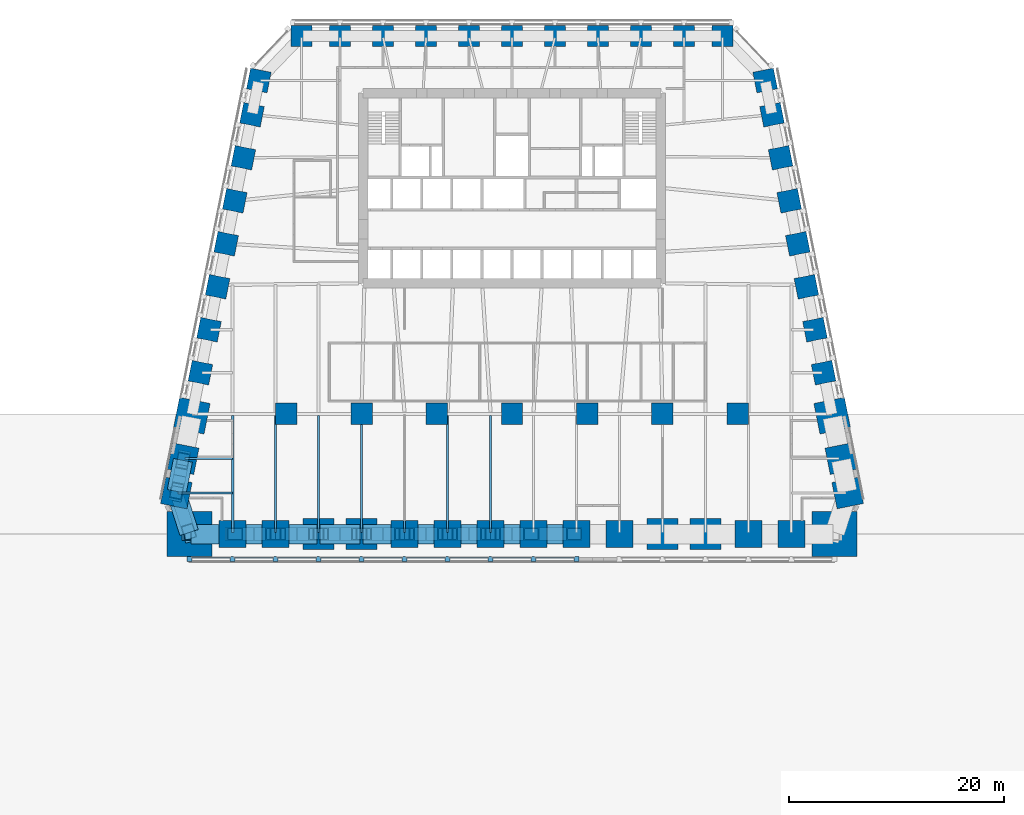
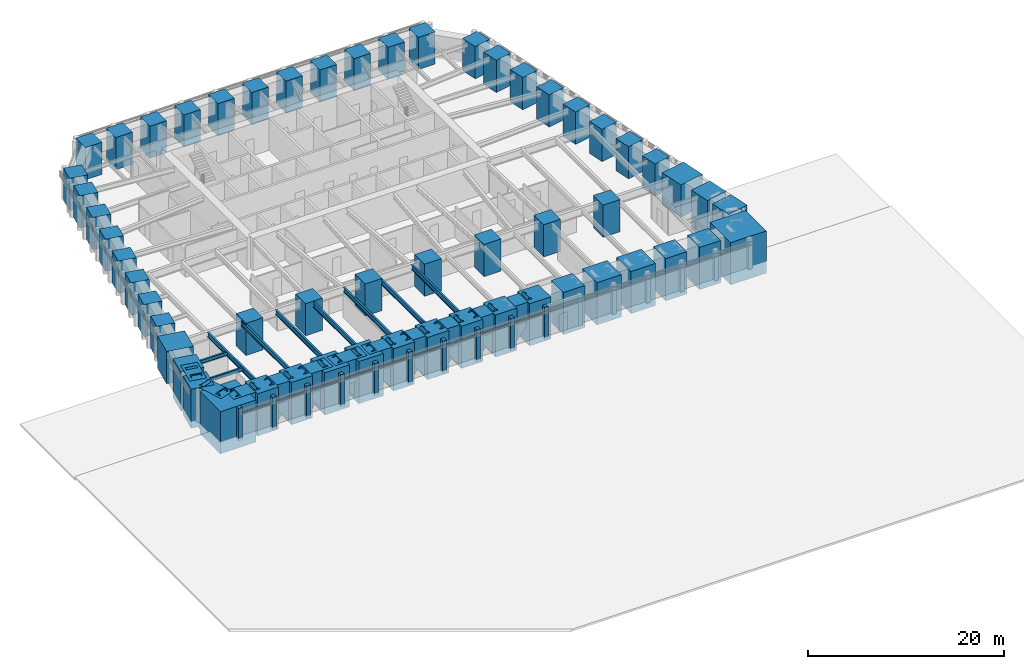
# One storey, part 1 of 18: 56 columns, 40 members, 20 beams, 1 element without a shape of its own.
"""IFC4 building model written with IfcOpenShell, lengths in metres."""

from ifc_helpers import new_model, si_unit, direction, frame, origin, origin_2d, place, context, subcontext, project, spatial, rectangle, hollow_rectangle, i_section, extrude, material, material_profile, profile_set, type_object, element, aggregate, save


model = new_model("IFC4")

# Units and contexts
model_context = context("Model", 3, precision=1e-05, world=origin(), true_north=direction((0.0, 1.0)))
body_context = subcontext(model_context, "Body", "Model", "MODEL_VIEW")
ifc_project = project(units=[si_unit("LENGTHUNIT", "METRE"), si_unit("AREAUNIT", "SQUARE_METRE"), si_unit("VOLUMEUNIT", "CUBIC_METRE"), si_unit("PLANEANGLEUNIT", "RADIAN"), si_unit("MASSUNIT", "GRAM", prefix="KILO")], contexts=[model_context])

# Site, building, storey
site_placement = place(None, origin())
site = spatial("IfcSite", under=ifc_project, at=site_placement, CompositionType="ELEMENT")
building_placement = place(site_placement, origin())
building = spatial("IfcBuilding", under=site, at=building_placement, Name="Isbrekke Arena Tower", CompositionType="ELEMENT")
storey_placement = place(building_placement, frame((0.0, 0.0, 28.0)))
storey = spatial("IfcBuildingStorey", under=building, at=storey_placement, Name="L04", CompositionType="ELEMENT", Elevation=28.0)

# Columns
ifc_material_1 = material(Name="Concrete B90 (C90/105)", Category="concrete")
ifc_material_profile_1 = material_profile(ifc_material_1, rectangle(XDim=2.0, YDim=2.0, at=origin_2d()), Name="RC 2000x2000")
ifc_profile_set_1 = profile_set([ifc_material_profile_1], Name="Concrete B90 (C90/105)")
column_type_1 = type_object("IfcColumnType", Name="C11 RC 2000 x 2000", PredefinedType="COLUMN", material=ifc_profile_set_1)
for number, where, z_axis, x_axis, name in (
    (1, (-21.0, -6.0, 0.0), (0.0, 0.0, 1.0), (1.0, 0.0, 0.0), "C11 I01"),
    (2, (-14.0, -6.0, 0.0), (0.0, 0.0, 1.0), (1.0, 0.0, 0.0), "C11 I02"),
    (3, (-7.0, -6.0, 0.0), (0.0, 0.0, 1.0), (1.0, 0.0, 0.0), "C11 I03"),
    (4, (0.0, -6.0, 0.0), (0.0, 0.0, 1.0), (1.0, 0.0, 0.0), "C11 I04"),
    (5, (7.0, -6.0, 0.0), (0.0, 0.0, 1.0), (1.0, 0.0, 0.0), "C11 I05"),
    (6, (14.0, -6.0, 0.0), (0.0, 0.0, 1.0), (1.0, 0.0, 0.0), "C11 I06"),
    (7, (21.0, -6.0, 0.0), (0.0, 0.0, 1.0), (1.0, 0.0, 0.0), "C11 I07"),
):
    element("IfcColumn", number, at=place(storey_placement, frame(where, z_axis=z_axis, x_axis=x_axis)), inside=storey, type_object=column_type_1, Name=name, PredefinedType="COLUMN", context=body_context, shape_type="SweptSolid", body=[
        extrude(rectangle(XDim=2.0, YDim=2.0, at=origin_2d()), origin(), (0.0, 0.0, 1.0), 4.0),
    ])
ifc_material_2 = material(Name="Concrete B90 (C90/105)", Category="concrete")
ifc_material_profile_2 = material_profile(ifc_material_2, rectangle(XDim=1.949951171875, YDim=1.949951171875, at=origin_2d()), Name="RC 1950x1950")
ifc_profile_set_2 = profile_set([ifc_material_profile_2], Name="Concrete B90 (C90/105)")
column_type_2 = type_object("IfcColumnType", Name="C2 RC 1950 x 1950", PredefinedType="COLUMN", material=ifc_profile_set_2)
for number, where, z_axis, x_axis, name in (
    (8, (28.990966796875, -2.161865234375, 0.0), (0.0, 0.0, 1.0), (-0.196116135138, 0.980580675691, 0.0), "C2 E04"),
    (9, (28.19091796875, 1.838134765625, 0.0), (0.0, 0.0, 1.0), (-0.196116135138, 0.980580675691, 0.0), "C2 E05"),
    (10, (27.39111328125, 5.838134765625, 0.0), (0.0, 0.0, 1.0), (-0.196116135138, 0.980580675691, 0.0), "C2 E06"),
    (11, (26.591064453125, 9.838134765625, 0.0), (0.0, 0.0, 1.0), (-0.196116135138, 0.980580675691, 0.0), "C2 E07"),
    (12, (25.791015625, 13.838134765625, 0.0), (0.0, 0.0, 1.0), (-0.196116135138, 0.980580675691, 0.0), "C2 E08"),
    (13, (24.990966796875, 17.838134765625, 0.0), (0.0, 0.0, 1.0), (-0.196116135138, 0.980580675691, 0.0), "C2 E09"),
    (14, (24.19091796875, 21.838134765625, 0.0), (0.0, 0.0, 1.0), (-0.196116135138, 0.980580675691, 0.0), "C2 E10"),
    (15, (23.552734375, 25.029296875, 0.0), (0.0, 0.0, 1.0), (-0.196116135138, 0.980580675691, 0.0), "C2 E11"),
    (16, (19.574951171875, 29.175048828125, 0.0), (0.0, 0.0, 1.0), (-1.0, 0.0, 0.0), "C2 N01"),
    (17, (16.0, 29.175048828125, 0.0), (0.0, 0.0, 1.0), (-1.0, 0.0, 0.0), "C2 N02"),
    (18, (12.0, 29.175048828125, 0.0), (0.0, 0.0, 1.0), (-1.0, 0.0, 0.0), "C2 N03"),
    (19, (8.0, 29.175048828125, 0.0), (0.0, 0.0, 1.0), (-1.0, 0.0, 0.0), "C2 N04"),
    (20, (4.0, 29.175048828125, 0.0), (0.0, 0.0, 1.0), (-1.0, 0.0, 0.0), "C2 N05"),
    (21, (0.0, 29.175048828125, 0.0), (0.0, 0.0, 1.0), (-1.0, 0.0, 0.0), "C2 N06"),
    (22, (-4.0, 29.175048828125, 0.0), (0.0, 0.0, 1.0), (-1.0, 0.0, 0.0), "C2 N07"),
    (23, (-8.0, 29.175048828125, 0.0), (0.0, 0.0, 1.0), (-1.0, 0.0, 0.0), "C2 N08"),
    (24, (-12.0, 29.175048828125, 0.0), (0.0, 0.0, 1.0), (-1.0, 0.0, 0.0), "C2 N09"),
    (25, (-16.0, 29.175048828125, 0.0), (0.0, 0.0, 1.0), (-1.0, 0.0, 0.0), "C2 N10"),
    (26, (-19.574951171875, 29.175048828125, 0.0), (0.0, 0.0, 1.0), (-1.0, 0.0, 0.0), "C2 N11"),
    (27, (-23.552734375, 25.029296875, 0.0), (0.0, 0.0, 1.0), (-0.196116135138, -0.980580675691, 0.0), "C2 W01"),
    (28, (-24.19091796875, 21.838134765625, 0.0), (0.0, 0.0, 1.0), (-0.196116135138, -0.980580675691, 0.0), "C2 W02"),
    (29, (-24.990966796875, 17.838134765625, 0.0), (0.0, 0.0, 1.0), (-0.196116135138, -0.980580675691, 0.0), "C2 W03"),
    (30, (-25.791015625, 13.838134765625, 0.0), (0.0, 0.0, 1.0), (-0.196116135138, -0.980580675691, 0.0), "C2 W04"),
    (31, (-26.591064453125, 9.838134765625, 0.0), (0.0, 0.0, 1.0), (-0.196116135138, -0.980580675691, 0.0), "C2 W05"),
    (32, (-27.39111328125, 5.838134765625, 0.0), (0.0, 0.0, 1.0), (-0.196116135138, -0.980580675691, 0.0), "C2 W06"),
    (33, (-28.19091796875, 1.838134765625, 0.0), (0.0, 0.0, 1.0), (-0.196116135138, -0.980580675691, 0.0), "C2 W07"),
    (34, (-28.990966796875, -2.161865234375, 0.0), (0.0, 0.0, 1.0), (-0.196116135138, -0.980580675691, 0.0), "C2 W08"),
):
    element("IfcColumn", number, at=place(storey_placement, frame(where, z_axis=z_axis, x_axis=x_axis)), inside=storey, type_object=column_type_2, Name=name, PredefinedType="COLUMN", context=body_context, shape_type="SweptSolid", body=[
        extrude(rectangle(XDim=1.949951171875, YDim=1.949951171875, at=origin_2d()), origin(), (0.0, 0.0, 1.0), 4.0),
    ])
ifc_material_3 = material(Name="Concrete B90 (C90/105)", Category="concrete")
ifc_material_profile_3 = material_profile(ifc_material_3, rectangle(XDim=2.5, YDim=2.5, at=origin_2d()), Name="RC 2500x2500")
ifc_profile_set_3 = profile_set([ifc_material_profile_3], Name="Concrete B90 (C90/105)")
column_type_3 = type_object("IfcColumnType", Name="C20 RC 2500 x 2500", PredefinedType="COLUMN", material=ifc_profile_set_3)
for number, where, z_axis, x_axis, name in (
    (35, (-26.0, -17.175048828125, -1.25), (0.0, 0.0, 1.0), (1.0, 0.0, 0.0), "C20 S02"),
    (36, (-22.0, -17.175048828125, -1.25), (0.0, 0.0, 1.0), (1.0, 0.0, 0.0), "C20 S03"),
    (37, (-10.0, -17.175048828125, -1.25), (0.0, 0.0, 1.0), (1.0, 0.0, 0.0), "C20 S06"),
    (38, (-6.0, -17.175048828125, -1.25), (0.0, 0.0, 1.0), (1.0, 0.0, 0.0), "C20 S07"),
    (39, (-2.0, -17.175048828125, -1.25), (0.0, 0.0, 1.0), (1.0, 0.0, 0.0), "C20 S08"),
    (40, (2.0, -17.175048828125, -1.25), (0.0, 0.0, 1.0), (1.0, 0.0, 0.0), "C20 S09"),
    (41, (6.0, -17.175048828125, -1.25), (0.0, 0.0, 1.0), (1.0, 0.0, 0.0), "C20 S10"),
    (42, (10.0, -17.175048828125, -1.25), (0.0, 0.0, 1.0), (1.0, 0.0, 0.0), "C20 S11"),
    (43, (22.0, -17.175048828125, -1.25), (0.0, 0.0, 1.0), (1.0, 0.0, 0.0), "C20 S14"),
    (44, (26.0, -17.175048828125, -1.25), (0.0, 0.0, 1.0), (1.0, 0.0, 0.0), "C20 S15"),
):
    element("IfcColumn", number, at=place(storey_placement, frame(where, z_axis=z_axis, x_axis=x_axis)), inside=storey, type_object=column_type_3, Name=name, PredefinedType="COLUMN", context=body_context, shape_type="SweptSolid", body=[
        extrude(rectangle(XDim=2.5, YDim=2.5, at=origin_2d()), origin(), (0.0, 0.0, 1.0), 5.25),
    ])
for number, where, z_axis, x_axis, name in (
    (45, (31.229248046875, -13.352783203125, -0.85009765625), (0.0, 0.0, 1.0), (-0.196116135138, 0.980580675691, 0.0), "C20 E01"),
    (46, (30.591064453125, -10.161865234375, -0.85009765625), (0.0, 0.0, 1.0), (-0.196116135138, 0.980580675691, 0.0), "C20 E02"),
    (47, (-30.591064453125, -10.161865234375, -0.85009765625), (0.0, 0.0, 1.0), (-0.196116135138, -0.980580675691, 0.0), "C20 W10"),
    (48, (-31.229248046875, -13.352783203125, -0.85009765625), (0.0, 0.0, 1.0), (-0.196116135138, -0.980580675691, 0.0), "C20 W11"),
):
    element("IfcColumn", number, at=place(storey_placement, frame(where, z_axis=z_axis, x_axis=x_axis)), inside=storey, type_object=column_type_3, Name=name, PredefinedType="COLUMN", context=body_context, shape_type="SweptSolid", body=[
        extrude(rectangle(XDim=2.5, YDim=2.5, at=origin_2d()), origin(), (0.0, 0.0, 1.0), 4.85009765625),
    ])
ifc_material_4 = material(Name="Concrete B90 (C90/105)", Category="concrete")
ifc_material_profile_4 = material_profile(ifc_material_4, rectangle(XDim=4.199951171875, YDim=4.199951171875, at=origin_2d()), Name="RC 4200x4200")
ifc_profile_set_4 = profile_set([ifc_material_profile_4], Name="Concrete B90 (C90/105)")
column_type_4 = type_object("IfcColumnType", Name="C21 RC 4200 x 4200", PredefinedType="COLUMN", material=ifc_profile_set_4)
for number, where, z_axis, x_axis, name in (
    (49, (-30.0, -17.175048828125, -1.25), (0.0, 0.0, 1.0), (1.0, 0.0, 0.0), "C21 S01"),
    (50, (30.0, -17.175048828125, -1.25), (0.0, 0.0, 1.0), (1.0, 0.0, 0.0), "C21 S16"),
):
    element("IfcColumn", number, at=place(storey_placement, frame(where, z_axis=z_axis, x_axis=x_axis)), inside=storey, type_object=column_type_4, Name=name, PredefinedType="COLUMN", context=body_context, shape_type="SweptSolid", body=[
        extrude(rectangle(XDim=4.199951171875, YDim=4.199951171875, at=origin_2d()), origin(), (0.0, 0.0, 1.0), 5.25),
    ])
ifc_material_5 = material(Name="Concrete B90 (C90/105)", Category="concrete")
ifc_material_profile_5 = material_profile(ifc_material_5, rectangle(XDim=2.89990234375, YDim=2.89990234375, at=origin_2d()), Name="RC 2900x2900")
ifc_profile_set_5 = profile_set([ifc_material_profile_5], Name="Concrete B90 (C90/105)")
column_type_5 = type_object("IfcColumnType", Name="C22 RC 2900 x 2900", PredefinedType="COLUMN", material=ifc_profile_set_5)
for number, where, z_axis, x_axis, name in (
    (51, (-18.0, -17.175048828125, -1.25), (0.0, 0.0, 1.0), (1.0, 0.0, 0.0), "C22 S04"),
    (52, (-14.0, -17.175048828125, -1.25), (0.0, 0.0, 1.0), (1.0, 0.0, 0.0), "C22 S05"),
    (53, (14.0, -17.175048828125, -1.25), (0.0, 0.0, 1.0), (1.0, 0.0, 0.0), "C22 S12"),
    (54, (18.0, -17.175048828125, -1.25), (0.0, 0.0, 1.0), (1.0, 0.0, 0.0), "C22 S13"),
):
    element("IfcColumn", number, at=place(storey_placement, frame(where, z_axis=z_axis, x_axis=x_axis)), inside=storey, type_object=column_type_5, Name=name, PredefinedType="COLUMN", context=body_context, shape_type="SweptSolid", body=[
        extrude(rectangle(XDim=2.89990234375, YDim=2.89990234375, at=origin_2d()), origin(), (0.0, 0.0, 1.0), 5.25),
    ])
for number, where, z_axis, x_axis, name in (
    (55, (29.791015625, -6.161865234375, 0.0), (0.0, 0.0, 1.0), (-0.196116135138, 0.980580675691, 0.0), "C22 E03"),
    (56, (-29.791015625, -6.161865234375, 0.0), (0.0, 0.0, 1.0), (-0.196116135138, -0.980580675691, 0.0), "C22 W09"),
):
    element("IfcColumn", number, at=place(storey_placement, frame(where, z_axis=z_axis, x_axis=x_axis)), inside=storey, type_object=column_type_5, Name=name, PredefinedType="COLUMN", context=body_context, shape_type="SweptSolid", body=[
        extrude(rectangle(XDim=2.89990234375, YDim=2.89990234375, at=origin_2d()), origin(), (0.0, 0.0, 1.0), 4.0),
    ])

# Beams
ifc_material_6 = material(Name="Steel S355", Category="steel")
ifc_material_profile_6 = material_profile(ifc_material_6, i_section(OverallWidth=0.219970703125, OverallDepth=0.60009765625, WebThickness=0.011962890625, FlangeThickness=0.01904296875, FilletRadius=0.02392578125, at=origin_2d()), Name="IPE 600")
ifc_profile_set_6 = profile_set([ifc_material_profile_6], Name="Steel S355")
beam_type_1 = type_object("IfcBeamType", Name="B1 IPE 600", PredefinedType="BEAM", material=ifc_profile_set_6)
for number, where, z_axis, x_axis, name in (
    (57, (-26.0, -17.02490234375, 3.550048828125), (0.0, 1.0, 0.0), (-1.0, 0.0, 0.0), "B1 beam S-S02 L04"),
    (58, (-22.0, -17.02490234375, 3.550048828125), (0.0, 1.0, 0.0), (-1.0, 0.0, 0.0), "B1 beam S-S03 L04"),
    (59, (-18.0, -17.02490234375, 3.550048828125), (0.0, 1.0, 0.0), (-1.0, 0.0, 0.0), "B1 beam S-S04 L04"),
):
    element("IfcBeam", number, at=place(storey_placement, frame(where, z_axis=z_axis, x_axis=x_axis)), inside=storey, type_object=beam_type_1, Name=name, PredefinedType="BEAM", context=body_context, shape_type="SweptSolid", body=[
        extrude(i_section(OverallWidth=0.219970703125, OverallDepth=0.60009765625, WebThickness=0.011962890625, FlangeThickness=0.01904296875, FilletRadius=0.02392578125, at=origin_2d()), origin(), (0.0, 0.0, 1.0), 10.8740234375),
    ])
beam_1_placement = place(storey_placement, frame((-14.0, -17.02490234375, 3.550048828125), z_axis=(0.0, 1.0, 0.0), x_axis=(-1.0, 0.0, 0.0)))
element("IfcBeam", 60, at=beam_1_placement, inside=storey, type_object=beam_type_1, Name="B1 beam S-S05 L04", PredefinedType="BEAM", context=body_context, shape_type="SweptSolid", body=[
    extrude(i_section(OverallWidth=0.219970703125, OverallDepth=0.60009765625, WebThickness=0.011962890625, FlangeThickness=0.01904296875, FilletRadius=0.02392578125, at=origin_2d()), origin(), (0.0, 0.0, 1.0), 10.875),
])
for number, where, z_axis, x_axis, name in (
    (61, (-10.0, -17.02490234375, 3.550048828125), (0.0, 1.0, 0.0), (-1.0, 0.0, 0.0), "B1 beam S-S06 L04"),
    (62, (-6.0, -17.02490234375, 3.550048828125), (0.0, 1.0, 0.0), (-1.0, 0.0, 0.0), "B1 beam S-S07 L04"),
    (63, (-2.0, -17.02490234375, 3.550048828125), (0.0, 1.0, 0.0), (-1.0, 0.0, 0.0), "B1 beam S-S08 L04"),
):
    element("IfcBeam", number, at=place(storey_placement, frame(where, z_axis=z_axis, x_axis=x_axis)), inside=storey, type_object=beam_type_1, Name=name, PredefinedType="BEAM", context=body_context, shape_type="SweptSolid", body=[
        extrude(i_section(OverallWidth=0.219970703125, OverallDepth=0.60009765625, WebThickness=0.011962890625, FlangeThickness=0.01904296875, FilletRadius=0.02392578125, at=origin_2d()), origin(), (0.0, 0.0, 1.0), 10.8740234375),
    ])
ifc_material_7 = material(Name="Steel S355", Category="steel")
ifc_material_profile_7 = material_profile(ifc_material_7, i_section(OverallWidth=0.18994140625, OverallDepth=0.449951171875, WebThickness=0.009521484375, FlangeThickness=0.0146484375, FilletRadius=0.02099609375, at=origin_2d()), Name="IPE 450")
ifc_profile_set_7 = profile_set([ifc_material_profile_7], Name="Steel S355")
beam_type_2 = type_object("IfcBeamType", Name="B2 IPE 450", PredefinedType="BEAM", material=ifc_profile_set_7)
beam_2_placement = place(storey_placement, frame((-30.44091796875, -10.161865234375, 3.625), z_axis=(1.0, 0.0, 0.0), x_axis=(0.0, 1.0, 0.0)))
element("IfcBeam", 64, at=beam_2_placement, inside=storey, type_object=beam_type_2, Name="B2 beam E-W10 L04", PredefinedType="BEAM", context=body_context, shape_type="SweptSolid", body=[
    extrude(i_section(OverallWidth=0.18994140625, OverallDepth=0.449951171875, WebThickness=0.009521484375, FlangeThickness=0.0146484375, FilletRadius=0.02099609375, at=origin_2d()), origin(), (0.0, 0.0, 1.0), 4.44091796875),
])
beam_3_placement = place(storey_placement, frame((-31.079345703125, -13.352783203125, 3.625), z_axis=(1.0, 0.0, 0.0), x_axis=(0.0, 1.0, 0.0)))
element("IfcBeam", 65, at=beam_3_placement, inside=storey, type_object=beam_type_2, Name="B2 beam E-W11 L04", PredefinedType="BEAM", context=body_context, shape_type="SweptSolid", body=[
    extrude(i_section(OverallWidth=0.18994140625, OverallDepth=0.449951171875, WebThickness=0.009521484375, FlangeThickness=0.0146484375, FilletRadius=0.02099609375, at=origin_2d()), origin(), (0.0, 0.0, 1.0), 5.079345703125),
])

# Curtain wall, members
ifc_material_8 = material(Name="Glazed aluminium curtain wall", Category="aluminium")
curtain_wall_type = type_object("IfcCurtainWallType", Name="CWL TOWER CURTAIN WALL LOW ZONE", PredefinedType="USERDEFINED", material=ifc_material_8)
curtain_wall_placement = place(storey_placement, origin())
curtain_wall = element("IfcCurtainWall", 66, at=curtain_wall_placement, inside=storey, type_object=curtain_wall_type, Name="CWL curtain wall L04-S", ObjectType="TOWER CURTAIN WALL LOW ZONE", PredefinedType="USERDEFINED")
ifc_material_9 = material(Name="Aluminium mullion, pale brick slip cladding", Category="masonry")
ifc_material_profile_8 = material_profile(ifc_material_9, rectangle(XDim=0.449951171875, YDim=0.449951171875, at=origin_2d()), Name="PIER 450X450")
ifc_profile_set_8 = profile_set([ifc_material_profile_8], Name="Aluminium mullion, pale brick slip cladding")
member_type_1 = type_object("IfcMemberType", Name="CWL-M PIER MULLION 450 x 450", PredefinedType="MULLION", material=ifc_profile_set_8)
member_1_placement = place(storey_placement, frame((-30.0, -19.5, 0.0), z_axis=(0.0, 0.0, 1.0), x_axis=(1.0, 0.0, 0.0)))
member_1 = element("IfcMember", 67, at=member_1_placement, type_object=member_type_1, Name="CWL-M mullion 1", PredefinedType="MULLION", context=body_context, shape_type="SweptSolid", body=[
    extrude(rectangle(XDim=0.449951171875, YDim=0.449951171875, at=origin_2d()), origin(), (0.0, 0.0, 1.0), 4.0),
])
member_2_placement = place(storey_placement, frame((-26.0, -19.5, 0.0), z_axis=(0.0, 0.0, 1.0), x_axis=(1.0, 0.0, 0.0)))
member_2 = element("IfcMember", 68, at=member_2_placement, type_object=member_type_1, Name="CWL-M mullion 2", PredefinedType="MULLION", context=body_context, shape_type="SweptSolid", body=[
    extrude(rectangle(XDim=0.449951171875, YDim=0.449951171875, at=origin_2d()), origin(), (0.0, 0.0, 1.0), 4.0),
])
member_3_placement = place(storey_placement, frame((-22.0, -19.5, 0.0), z_axis=(0.0, 0.0, 1.0), x_axis=(1.0, 0.0, 0.0)))
member_3 = element("IfcMember", 69, at=member_3_placement, type_object=member_type_1, Name="CWL-M mullion 3", PredefinedType="MULLION", context=body_context, shape_type="SweptSolid", body=[
    extrude(rectangle(XDim=0.449951171875, YDim=0.449951171875, at=origin_2d()), origin(), (0.0, 0.0, 1.0), 4.0),
])
member_4_placement = place(storey_placement, frame((-18.0, -19.5, 0.0), z_axis=(0.0, 0.0, 1.0), x_axis=(1.0, 0.0, 0.0)))
member_4 = element("IfcMember", 70, at=member_4_placement, type_object=member_type_1, Name="CWL-M mullion 4", PredefinedType="MULLION", context=body_context, shape_type="SweptSolid", body=[
    extrude(rectangle(XDim=0.449951171875, YDim=0.449951171875, at=origin_2d()), origin(), (0.0, 0.0, 1.0), 4.0),
])
member_5_placement = place(storey_placement, frame((-14.0, -19.5, 0.0), z_axis=(0.0, 0.0, 1.0), x_axis=(1.0, 0.0, 0.0)))
member_5 = element("IfcMember", 71, at=member_5_placement, type_object=member_type_1, Name="CWL-M mullion 5", PredefinedType="MULLION", context=body_context, shape_type="SweptSolid", body=[
    extrude(rectangle(XDim=0.449951171875, YDim=0.449951171875, at=origin_2d()), origin(), (0.0, 0.0, 1.0), 4.0),
])
member_6_placement = place(storey_placement, frame((-10.0, -19.5, 0.0), z_axis=(0.0, 0.0, 1.0), x_axis=(1.0, 0.0, 0.0)))
member_6 = element("IfcMember", 72, at=member_6_placement, type_object=member_type_1, Name="CWL-M mullion 6", PredefinedType="MULLION", context=body_context, shape_type="SweptSolid", body=[
    extrude(rectangle(XDim=0.449951171875, YDim=0.449951171875, at=origin_2d()), origin(), (0.0, 0.0, 1.0), 4.0),
])
member_7_placement = place(storey_placement, frame((-6.0, -19.5, 0.0), z_axis=(0.0, 0.0, 1.0), x_axis=(1.0, 0.0, 0.0)))
member_7 = element("IfcMember", 73, at=member_7_placement, type_object=member_type_1, Name="CWL-M mullion 7", PredefinedType="MULLION", context=body_context, shape_type="SweptSolid", body=[
    extrude(rectangle(XDim=0.449951171875, YDim=0.449951171875, at=origin_2d()), origin(), (0.0, 0.0, 1.0), 4.0),
])
member_8_placement = place(storey_placement, frame((-2.0, -19.5, 0.0), z_axis=(0.0, 0.0, 1.0), x_axis=(1.0, 0.0, 0.0)))
member_8 = element("IfcMember", 74, at=member_8_placement, type_object=member_type_1, Name="CWL-M mullion 8", PredefinedType="MULLION", context=body_context, shape_type="SweptSolid", body=[
    extrude(rectangle(XDim=0.449951171875, YDim=0.449951171875, at=origin_2d()), origin(), (0.0, 0.0, 1.0), 4.0),
])
member_9_placement = place(storey_placement, frame((2.0, -19.5, 0.0), z_axis=(0.0, 0.0, 1.0), x_axis=(1.0, 0.0, 0.0)))
member_9 = element("IfcMember", 75, at=member_9_placement, type_object=member_type_1, Name="CWL-M mullion 9", PredefinedType="MULLION", context=body_context, shape_type="SweptSolid", body=[
    extrude(rectangle(XDim=0.449951171875, YDim=0.449951171875, at=origin_2d()), origin(), (0.0, 0.0, 1.0), 4.0),
])
member_10_placement = place(storey_placement, frame((6.0, -19.5, 0.0), z_axis=(0.0, 0.0, 1.0), x_axis=(1.0, 0.0, 0.0)))
member_10 = element("IfcMember", 76, at=member_10_placement, type_object=member_type_1, Name="CWL-M mullion 10", PredefinedType="MULLION", context=body_context, shape_type="SweptSolid", body=[
    extrude(rectangle(XDim=0.449951171875, YDim=0.449951171875, at=origin_2d()), origin(), (0.0, 0.0, 1.0), 4.0),
])
ifc_material_10 = material(Name="Aluminium transom", Category="aluminium")
ifc_material_profile_9 = material_profile(ifc_material_10, rectangle(XDim=0.1201171875, YDim=0.199951171875, at=origin_2d()), Name="TRANSOM 120X200")
ifc_profile_set_9 = profile_set([ifc_material_profile_9], Name="Aluminium transom")
member_type_2 = type_object("IfcMemberType", Name="CWL-T TRANSOM 120 x 200", PredefinedType="USERDEFINED", material=ifc_profile_set_9)
member_11_placement = place(storey_placement, frame((-29.77490234375, -19.375, 3.0), z_axis=(1.0, 0.0, 0.0), x_axis=(0.0, 1.0, 0.0)))
member_11 = element("IfcMember", 77, at=member_11_placement, type_object=member_type_2, Name="CWL-T transom 1", ObjectType="TRANSOM", PredefinedType="USERDEFINED", context=body_context, shape_type="SweptSolid", body=[
    extrude(rectangle(XDim=0.1201171875, YDim=0.199951171875, at=origin_2d()), origin(), (0.0, 0.0, 1.0), 3.5498046875),
])
member_12_placement = place(storey_placement, frame((-25.77490234375, -19.375, 3.0), z_axis=(1.0, 0.0, 0.0), x_axis=(0.0, 1.0, 0.0)))
member_12 = element("IfcMember", 78, at=member_12_placement, type_object=member_type_2, Name="CWL-T transom 2", ObjectType="TRANSOM", PredefinedType="USERDEFINED", context=body_context, shape_type="SweptSolid", body=[
    extrude(rectangle(XDim=0.1201171875, YDim=0.199951171875, at=origin_2d()), origin(), (0.0, 0.0, 1.0), 3.5498046875),
])
member_13_placement = place(storey_placement, frame((-21.77490234375, -19.375, 3.0), z_axis=(1.0, 0.0, 0.0), x_axis=(0.0, 1.0, 0.0)))
member_13 = element("IfcMember", 79, at=member_13_placement, type_object=member_type_2, Name="CWL-T transom 3", ObjectType="TRANSOM", PredefinedType="USERDEFINED", context=body_context, shape_type="SweptSolid", body=[
    extrude(rectangle(XDim=0.1201171875, YDim=0.199951171875, at=origin_2d()), origin(), (0.0, 0.0, 1.0), 3.5498046875),
])
member_14_placement = place(storey_placement, frame((-17.77490234375, -19.375, 3.0), z_axis=(1.0, 0.0, 0.0), x_axis=(0.0, 1.0, 0.0)))
member_14 = element("IfcMember", 80, at=member_14_placement, type_object=member_type_2, Name="CWL-T transom 4", ObjectType="TRANSOM", PredefinedType="USERDEFINED", context=body_context, shape_type="SweptSolid", body=[
    extrude(rectangle(XDim=0.1201171875, YDim=0.199951171875, at=origin_2d()), origin(), (0.0, 0.0, 1.0), 3.5498046875),
])
member_15_placement = place(storey_placement, frame((-13.77490234375, -19.375, 3.0), z_axis=(1.0, 0.0, 0.0), x_axis=(0.0, 1.0, 0.0)))
member_15 = element("IfcMember", 81, at=member_15_placement, type_object=member_type_2, Name="CWL-T transom 5", ObjectType="TRANSOM", PredefinedType="USERDEFINED", context=body_context, shape_type="SweptSolid", body=[
    extrude(rectangle(XDim=0.1201171875, YDim=0.199951171875, at=origin_2d()), origin(), (0.0, 0.0, 1.0), 3.5498046875),
])
member_16_placement = place(storey_placement, frame((-9.77490234375, -19.375, 3.0), z_axis=(1.0, 0.0, 0.0), x_axis=(0.0, 1.0, 0.0)))
member_16 = element("IfcMember", 82, at=member_16_placement, type_object=member_type_2, Name="CWL-T transom 6", ObjectType="TRANSOM", PredefinedType="USERDEFINED", context=body_context, shape_type="SweptSolid", body=[
    extrude(rectangle(XDim=0.1201171875, YDim=0.199951171875, at=origin_2d()), origin(), (0.0, 0.0, 1.0), 3.5498046875),
])
member_17_placement = place(storey_placement, frame((-5.77490234375, -19.375, 3.0), z_axis=(1.0, 0.0, 0.0), x_axis=(0.0, 1.0, 0.0)))
member_17 = element("IfcMember", 83, at=member_17_placement, type_object=member_type_2, Name="CWL-T transom 7", ObjectType="TRANSOM", PredefinedType="USERDEFINED", context=body_context, shape_type="SweptSolid", body=[
    extrude(rectangle(XDim=0.1201171875, YDim=0.199951171875, at=origin_2d()), origin(), (0.0, 0.0, 1.0), 3.5498046875),
])
member_18_placement = place(storey_placement, frame((-1.77490234375, -19.375, 3.0), z_axis=(1.0, 0.0, 0.0), x_axis=(0.0, 1.0, 0.0)))
member_18 = element("IfcMember", 84, at=member_18_placement, type_object=member_type_2, Name="CWL-T transom 8", ObjectType="TRANSOM", PredefinedType="USERDEFINED", context=body_context, shape_type="SweptSolid", body=[
    extrude(rectangle(XDim=0.1201171875, YDim=0.199951171875, at=origin_2d()), origin(), (0.0, 0.0, 1.0), 3.5498046875),
])
member_19_placement = place(storey_placement, frame((2.22509765625, -19.375, 3.0), z_axis=(1.0, 0.0, 0.0), x_axis=(0.0, 1.0, 0.0)))
member_19 = element("IfcMember", 85, at=member_19_placement, type_object=member_type_2, Name="CWL-T transom 9", ObjectType="TRANSOM", PredefinedType="USERDEFINED", context=body_context, shape_type="SweptSolid", body=[
    extrude(rectangle(XDim=0.1201171875, YDim=0.199951171875, at=origin_2d()), origin(), (0.0, 0.0, 1.0), 3.5498046875),
])
aggregate(curtain_wall, [member_1, member_2, member_3, member_4, member_5, member_6, member_7, member_8, member_9, member_10, member_11, member_12, member_13, member_14, member_15, member_16, member_17, member_18, member_19])

# Beams
ifc_material_11 = material(Name="Concrete B90 (C90/105)", Category="concrete")
ifc_material_profile_10 = material_profile(ifc_material_11, rectangle(XDim=1.800048828125, YDim=2.800048828125, at=origin_2d()), Name="RC 1800x2800")
ifc_profile_set_10 = profile_set([ifc_material_profile_10], Name="Concrete B90 (C90/105)")
beam_type_3 = type_object("IfcBeamType", Name="SB7 RC 1800 x 2800", PredefinedType="SPANDREL", material=ifc_profile_set_10)
beam_4_placement = place(storey_placement, frame((-17.85009765625, -17.175048828125, 2.60009765625), z_axis=(1.0, 0.0, 0.0), x_axis=(0.0, 1.0, 0.0)))
element("IfcBeam", 86, at=beam_4_placement, inside=storey, type_object=beam_type_3, Name="SB7 spandrel S04-S05 L04", PredefinedType="SPANDREL", context=body_context, shape_type="SweptSolid", body=[
    extrude(rectangle(XDim=1.800048828125, YDim=2.800048828125, at=origin_2d()), origin(), (0.0, 0.0, 1.0), 3.7001953125),
])
ifc_material_12 = material(Name="Concrete B90 (C90/105)", Category="concrete")
ifc_material_profile_11 = material_profile(ifc_material_12, rectangle(XDim=1.800048828125, YDim=2.39990234375, at=origin_2d()), Name="RC 1800x2400")
ifc_profile_set_11 = profile_set([ifc_material_profile_11], Name="Concrete B90 (C90/105)")
beam_type_4 = type_object("IfcBeamType", Name="SB8 RC 1800 x 2400", PredefinedType="SPANDREL", material=ifc_profile_set_11)
for number, where, z_axis, x_axis, name in (
    (87, (-29.85009765625, -17.175048828125, 2.800048828125), (1.0, 0.0, 0.0), (0.0, 1.0, 0.0), "SB8 spandrel S01-S02 L04"),
    (88, (-25.85009765625, -17.175048828125, 2.800048828125), (1.0, 0.0, 0.0), (0.0, 1.0, 0.0), "SB8 spandrel S02-S03 L04"),
    (89, (-21.85009765625, -17.175048828125, 2.800048828125), (1.0, 0.0, 0.0), (0.0, 1.0, 0.0), "SB8 spandrel S03-S04 L04"),
    (90, (-13.85009765625, -17.175048828125, 2.800048828125), (1.0, 0.0, 0.0), (0.0, 1.0, 0.0), "SB8 spandrel S05-S06 L04"),
    (91, (-9.85009765625, -17.175048828125, 2.800048828125), (1.0, 0.0, 0.0), (0.0, 1.0, 0.0), "SB8 spandrel S06-S07 L04"),
    (92, (-5.85009765625, -17.175048828125, 2.800048828125), (1.0, 0.0, 0.0), (0.0, 1.0, 0.0), "SB8 spandrel S07-S08 L04"),
    (93, (-1.85009765625, -17.175048828125, 2.800048828125), (1.0, 0.0, 0.0), (0.0, 1.0, 0.0), "SB8 spandrel S08-S09 L04"),
    (94, (2.14990234375, -17.175048828125, 2.800048828125), (1.0, 0.0, 0.0), (0.0, 1.0, 0.0), "SB8 spandrel S09-S10 L04"),
):
    element("IfcBeam", number, at=place(storey_placement, frame(where, z_axis=z_axis, x_axis=x_axis)), inside=storey, type_object=beam_type_4, Name=name, PredefinedType="SPANDREL", context=body_context, shape_type="SweptSolid", body=[
        extrude(rectangle(XDim=1.800048828125, YDim=2.39990234375, at=origin_2d()), origin(), (0.0, 0.0, 1.0), 3.7001953125),
    ])
beam_5_placement = place(storey_placement, frame((-30.620361328125, -10.308837890625, 2.800048828125), z_axis=(-0.196100243168, -0.980583853951, 0.0), x_axis=(0.980583853951, -0.196100243168, 0.0)))
element("IfcBeam", 95, at=beam_5_placement, inside=storey, type_object=beam_type_4, Name="SB8 spandrel W10-W11 L04", PredefinedType="SPANDREL", context=body_context, shape_type="SweptSolid", body=[
    extrude(rectangle(XDim=1.800048828125, YDim=2.39990234375, at=origin_2d()), origin(), (0.0, 0.0, 1.0), 2.954345703125),
])
beam_6_placement = place(storey_placement, frame((-31.183349609375, -13.49560546875, 2.800048828125), z_axis=(0.306175101476, -0.951975213562, 0.0), x_axis=(0.951975213562, 0.306175101476, 0.0)))
element("IfcBeam", 96, at=beam_6_placement, inside=storey, type_object=beam_type_4, Name="SB8 spandrel W11-S01 L04", PredefinedType="SPANDREL", context=body_context, shape_type="SweptSolid", body=[
    extrude(rectangle(XDim=1.800048828125, YDim=2.39990234375, at=origin_2d()), origin(), (0.0, 0.0, 1.0), 3.715087890625),
])

# Members
ifc_material_13 = material(Name="Steel S460", Category="steel")
ifc_material_profile_12 = material_profile(ifc_material_13, hollow_rectangle(XDim=1.199951171875, YDim=1.800048828125, WallThickness=0.090087890625, at=origin_2d()), Name="BOX 1200x1800x90")
ifc_profile_set_12 = profile_set([ifc_material_profile_12], Name="Steel S460")
member_type_3 = type_object("IfcMemberType", Name="TB1 BOX 1200x1800x90", PredefinedType="BRACE", material=ifc_profile_set_12)
for number, where, z_axis, x_axis, name in (
    (97, (-30.591064453125, -10.161865234375, -0.85009765625), (-0.109277530406, -0.546343030742, 0.830402139995), (0.980577595325, -0.19613153634, 0.0), "TB1 transfer brace W10-W11 L04 A"),
    (98, (-30.63134765625, -10.363525390625, 3.693359375), (-0.109277530406, -0.546343030742, -0.830402139995), (0.980577595325, -0.19613153634, 0.0), "TB1 transfer brace W10-W11 L04 B"),
):
    element("IfcMember", number, at=place(storey_placement, frame(where, z_axis=z_axis, x_axis=x_axis)), inside=storey, type_object=member_type_3, Name=name, PredefinedType="BRACE", context=body_context, shape_type="SweptSolid", body=[
        extrude(hollow_rectangle(XDim=1.199951171875, YDim=1.800048828125, WallThickness=0.090087890625, at=origin_2d()), origin(), (0.0, 0.0, 1.0), 5.471435546875),
    ])
member_20_placement = place(storey_placement, frame((-31.229248046875, -13.352783203125, -0.85009765625), z_axis=(0.195238241539, -0.607052908768, 0.770304352186), x_axis=(0.951976423156, 0.30617134052, 0.0)))
element("IfcMember", 99, at=member_20_placement, inside=storey, type_object=member_type_3, Name="TB1 transfer brace W11-S01 L04 A", PredefinedType="BRACE", context=body_context, shape_type="SweptSolid", body=[
    extrude(hollow_rectangle(XDim=1.199951171875, YDim=1.800048828125, WallThickness=0.090087890625, at=origin_2d()), origin(), (0.0, 0.0, 1.0), 5.9609375),
])
member_21_placement = place(storey_placement, frame((-31.164794921875, -13.553466796875, 3.724365234375), z_axis=(0.185999923521, -0.578311227314, -0.794330002463), x_axis=(0.951973793165, 0.30617951781, 0.0)))
element("IfcMember", 100, at=member_21_placement, inside=storey, type_object=member_type_3, Name="TB1 transfer brace W11-S01 L04 B", PredefinedType="BRACE", context=body_context, shape_type="SweptSolid", body=[
    extrude(hollow_rectangle(XDim=1.199951171875, YDim=1.800048828125, WallThickness=0.090087890625, at=origin_2d()), origin(), (0.0, 0.0, 1.0), 6.262451171875),
])
for number, where, z_axis, x_axis, name in (
    (101, (-30.0, -17.175048828125, -1.25), (0.6060302746, 0.0, 0.795441579419), (0.0, 1.0, 0.0), "TB1 transfer brace S01-S02 L04 A"),
    (102, (-29.789306640625, -17.175048828125, 3.7236328125), (0.6060302746, 0.0, -0.795441579419), (0.0, 1.0, 0.0), "TB1 transfer brace S01-S02 L04 B"),
    (103, (-26.0, -17.175048828125, -1.25), (0.6060302746, 0.0, 0.795441579419), (0.0, 1.0, 0.0), "TB1 transfer brace S02-S03 L04 A"),
    (104, (-25.789306640625, -17.175048828125, 3.7236328125), (0.6060302746, 0.0, -0.795441579419), (0.0, 1.0, 0.0), "TB1 transfer brace S02-S03 L04 B"),
    (105, (-22.0, -17.175048828125, -1.25), (0.6060302746, 0.0, 0.795441579419), (0.0, 1.0, 0.0), "TB1 transfer brace S03-S04 L04 A"),
    (106, (-21.789306640625, -17.175048828125, 3.7236328125), (0.6060302746, 0.0, -0.795441579419), (0.0, 1.0, 0.0), "TB1 transfer brace S03-S04 L04 B"),
    (107, (-18.0, -17.175048828125, -1.25), (0.6060302746, 0.0, 0.795441579419), (0.0, 1.0, 0.0), "TB1 transfer brace S04-S05 L04 A"),
    (108, (-17.789306640625, -17.175048828125, 3.7236328125), (0.6060302746, 0.0, -0.795441579419), (0.0, 1.0, 0.0), "TB1 transfer brace S04-S05 L04 B"),
    (109, (-14.0, -17.175048828125, -1.25), (0.6060302746, 0.0, 0.795441579419), (0.0, 1.0, 0.0), "TB1 transfer brace S05-S06 L04 A"),
    (110, (-13.789306640625, -17.175048828125, 3.7236328125), (0.6060302746, 0.0, -0.795441579419), (0.0, 1.0, 0.0), "TB1 transfer brace S05-S06 L04 B"),
    (111, (-10.0, -17.175048828125, -1.25), (0.6060302746, 0.0, 0.795441579419), (0.0, 1.0, 0.0), "TB1 transfer brace S06-S07 L04 A"),
    (112, (-9.789306640625, -17.175048828125, 3.7236328125), (0.6060302746, 0.0, -0.795441579419), (0.0, 1.0, 0.0), "TB1 transfer brace S06-S07 L04 B"),
    (113, (-6.0, -17.175048828125, -1.25), (0.6060302746, 0.0, 0.795441579419), (0.0, 1.0, 0.0), "TB1 transfer brace S07-S08 L04 A"),
    (114, (-5.789306640625, -17.175048828125, 3.7236328125), (0.6060302746, 0.0, -0.795441579419), (0.0, 1.0, 0.0), "TB1 transfer brace S07-S08 L04 B"),
    (115, (-2.0, -17.175048828125, -1.25), (0.6060302746, 0.0, 0.795441579419), (0.0, 1.0, 0.0), "TB1 transfer brace S08-S09 L04 A"),
    (116, (-1.789306640625, -17.175048828125, 3.7236328125), (0.6060302746, 0.0, -0.795441579419), (0.0, 1.0, 0.0), "TB1 transfer brace S08-S09 L04 B"),
    (117, (2.0, -17.175048828125, -1.25), (0.6060302746, 0.0, 0.795441579419), (0.0, 1.0, 0.0), "TB1 transfer brace S09-S10 L04 A"),
):
    element("IfcMember", number, at=place(storey_placement, frame(where, z_axis=z_axis, x_axis=x_axis)), inside=storey, type_object=member_type_3, Name=name, PredefinedType="BRACE", context=body_context, shape_type="SweptSolid", body=[
        extrude(hollow_rectangle(XDim=1.199951171875, YDim=1.800048828125, WallThickness=0.090087890625, at=origin_2d()), origin(), (0.0, 0.0, 1.0), 6.252685546875),
    ])

save(model, "model.ifc")
